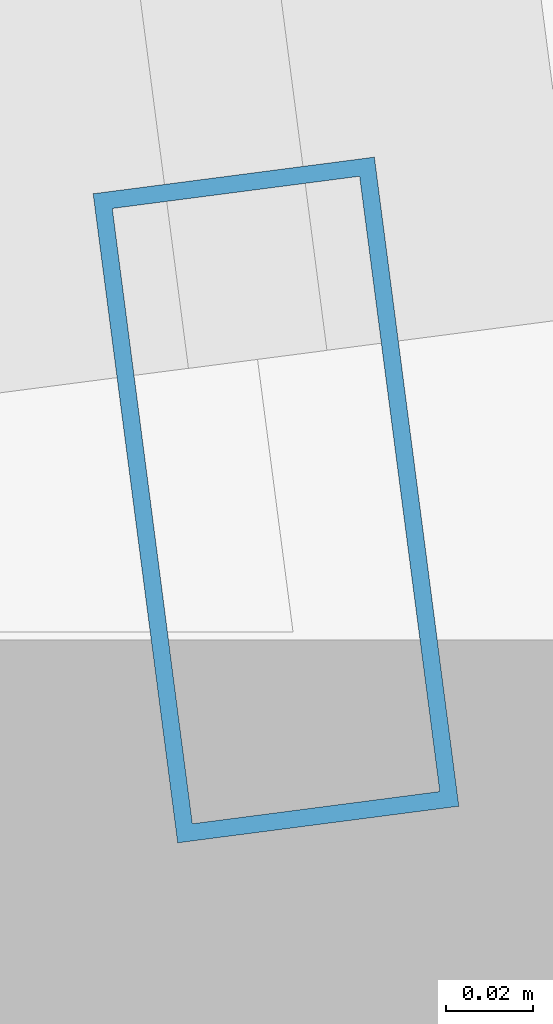
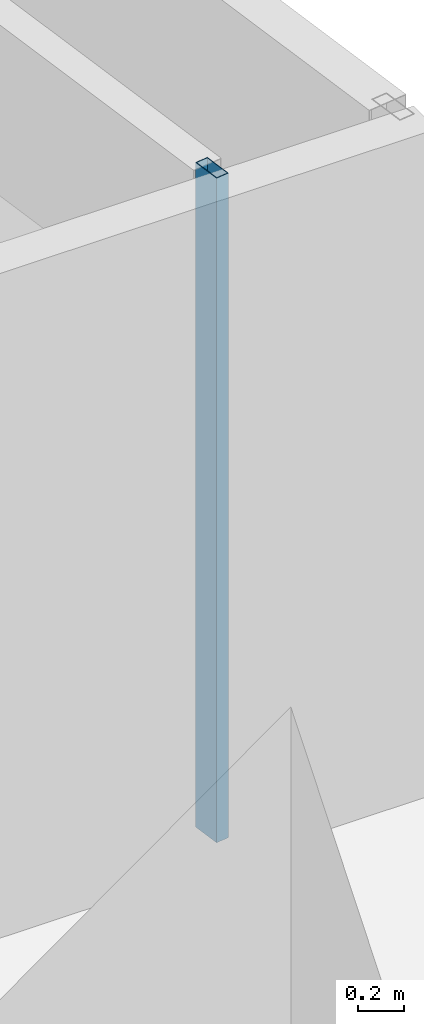
# One storey, part 20 of 40: 1 member, 1 element without a shape of its own.
"""IFC4 building model written with IfcOpenShell, lengths in metres."""

from ifc_helpers import new_model, si_unit, direction, frame, origin, origin_2d, place, context, subcontext, project, spatial, hollow_rectangle, extrude, material, material_profile, profile_set, type_object, element, aggregate, save


model = new_model("IFC4")

# Units and contexts
model_context = context("Model", 3, precision=1e-05, world=origin(), true_north=direction((0.0, 1.0)))
body_context = subcontext(model_context, "Body", "Model", "MODEL_VIEW")
ifc_project = project(units=[si_unit("LENGTHUNIT", "METRE"), si_unit("AREAUNIT", "SQUARE_METRE"), si_unit("VOLUMEUNIT", "CUBIC_METRE"), si_unit("PLANEANGLEUNIT", "RADIAN"), si_unit("MASSUNIT", "GRAM", prefix="KILO")], contexts=[model_context])

# Site, building, storey
site_placement = place(None, origin())
site = spatial("IfcSite", under=ifc_project, at=site_placement, CompositionType="ELEMENT")
building_placement = place(site_placement, origin())
building = spatial("IfcBuilding", under=site, at=building_placement, Name="Rekha Terrace Tower", CompositionType="ELEMENT")
storey_placement = place(building_placement, frame((0.0, 0.0, 129.050048828125)))
storey = spatial("IfcBuildingStorey", under=building, at=storey_placement, Name="L32", CompositionType="ELEMENT", Elevation=129.050048828125)

# Curtain wall, member
ifc_material_1 = material(Name="Aluminium framing", Category="aluminium")
curtain_wall_type = type_object("IfcCurtainWallType", Name="CW1 double skin inner glazing", PredefinedType="USERDEFINED", material=ifc_material_1)
curtain_wall_placement = place(storey_placement, origin())
curtain_wall = element("IfcCurtainWall", 1, at=curtain_wall_placement, inside=storey, type_object=curtain_wall_type, Name="CW1 double skin inner glazing", ObjectType="DOUBLE SKIN INNER GLAZING", PredefinedType="USERDEFINED")
ifc_material_2 = material(Name="Aluminium mullion section", Category="aluminium")
ifc_material_profile = material_profile(ifc_material_2, hollow_rectangle(XDim=0.06494140625, YDim=0.14990234375, WallThickness=0.00390625, at=origin_2d()), Name="AL RHS 65x150")
ifc_profile_set = profile_set([ifc_material_profile], Name="Aluminium mullion section")
member_type = type_object("IfcMemberType", Name="CW1 mullion RHS 65 x 150", PredefinedType="MULLION", material=ifc_profile_set)
member_placement = place(storey_placement, frame((68.8740234375, 53.357177734375, 0.0), z_axis=(0.0, 0.0, 1.0), x_axis=(-0.991629186228, -0.129118383745, 0.0)))
member = element("IfcMember", 2, at=member_placement, type_object=member_type, Name="CW1 mullion 1", PredefinedType="MULLION", context=body_context, shape_type="SweptSolid", body=[
    extrude(hollow_rectangle(XDim=0.06494140625, YDim=0.14990234375, WallThickness=0.00390625, at=origin_2d()), origin(), (0.0, 0.0, 1.0), 3.5),
])
aggregate(curtain_wall, [member])

save(model, "model.ifc")
